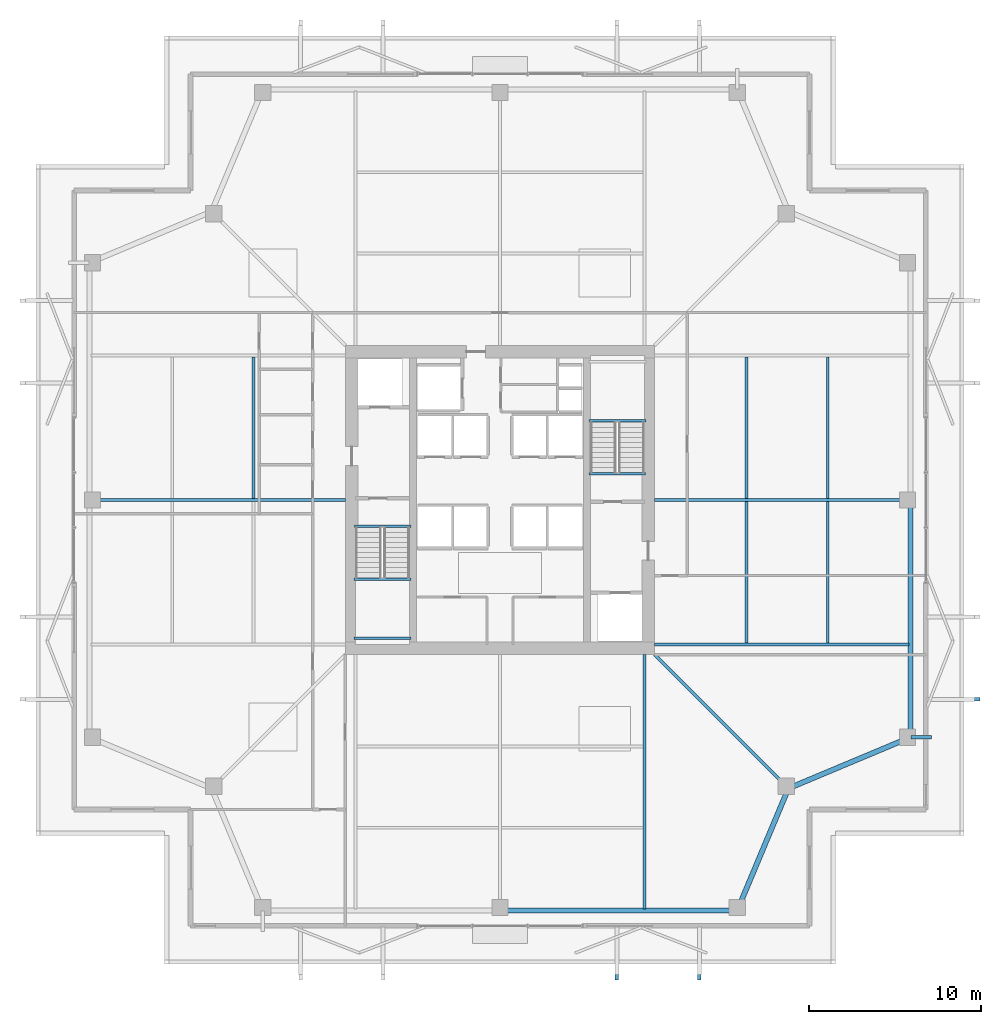
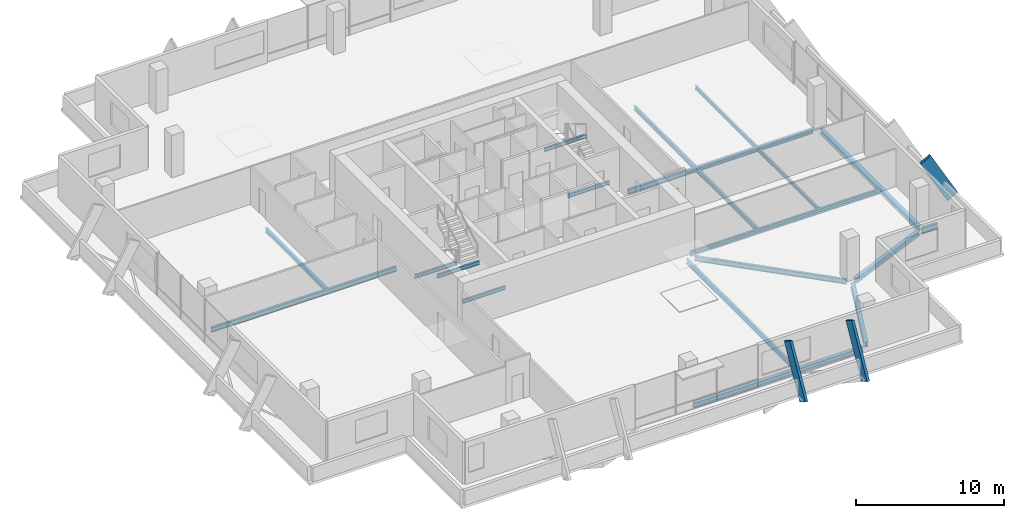
# One storey, part 7 of 17: 20 beams, 3 members.
"""IFC4 building model written with IfcOpenShell, lengths in metres."""

from ifc_helpers import new_model, si_unit, direction, frame, origin, origin_2d, place, context, subcontext, project, spatial, hollow_rectangle, i_section, extrude, material, material_profile, profile_set, type_object, element, save


model = new_model("IFC4")

# Units and contexts
model_context = context("Model", 3, precision=1e-05, world=origin(), true_north=direction((0.0, 1.0)))
body_context = subcontext(model_context, "Body", "Model", "MODEL_VIEW")
ifc_project = project(units=[si_unit("LENGTHUNIT", "METRE"), si_unit("AREAUNIT", "SQUARE_METRE"), si_unit("VOLUMEUNIT", "CUBIC_METRE"), si_unit("PLANEANGLEUNIT", "RADIAN"), si_unit("MASSUNIT", "GRAM", prefix="KILO")], contexts=[model_context])

# Site, building, storey
site_placement = place(None, origin())
site = spatial("IfcSite", under=ifc_project, at=site_placement, CompositionType="ELEMENT")
building_placement = place(site_placement, origin())
building = spatial("IfcBuilding", under=site, at=building_placement, Name="Belovzor Exchange Tower", CompositionType="ELEMENT")
storey_placement = place(building_placement, frame((0.0, 0.0, 246.60009765625)))
storey = spatial("IfcBuildingStorey", under=building, at=storey_placement, Name="L61", CompositionType="ELEMENT", Elevation=246.60009765625)

# Beams
ifc_material_1 = material(Name="Steel S355", Category="steel")
ifc_material_profile_1 = material_profile(ifc_material_1, i_section(OverallWidth=0.199951171875, OverallDepth=0.5, WebThickness=0.01025390625, FlangeThickness=0.01611328125, at=origin_2d()))
ifc_profile_set_1 = profile_set([ifc_material_profile_1], Name="Steel S355")
beam_type_1 = type_object("IfcBeamType", Name="Planted Balcony Cantilever Beam IPE 500", PredefinedType="BEAM", material=ifc_profile_set_1)
beam_1_placement = place(storey_placement, frame((52.694091796875, 15.0, -0.5), z_axis=(1.0, 0.0, 0.0), x_axis=(0.0, 1.0, 0.0)))
element("IfcBeam", 1, at=beam_1_placement, inside=storey, type_object=beam_type_1, Name="BC-500 Planted Balcony Cantilever Beam IPE 500", PredefinedType="BEAM", context=body_context, shape_type="SweptSolid", body=[
    extrude(i_section(OverallWidth=0.199951171875, OverallDepth=0.5, WebThickness=0.01025390625, FlangeThickness=0.01611328125, at=origin_2d()), origin(), (0.0, 0.0, 1.0), 1.205810546875),
])
ifc_material_2 = material(Name="Steel S355", Category="steel")
ifc_material_profile_2 = material_profile(ifc_material_2, i_section(OverallWidth=0.169921875, OverallDepth=0.360107421875, WebThickness=0.008056640625, FlangeThickness=0.0126953125, at=origin_2d()))
ifc_profile_set_2 = profile_set([ifc_material_profile_2], Name="Steel S355")
beam_type_2 = type_object("IfcBeamType", Name="Secondary Infill Floor Joist IPE 360", PredefinedType="BEAM", material=ifc_profile_set_2)
beam_2_placement = place(storey_placement, frame((14.471923828125, 28.889892578125, -0.43017578125), z_axis=(0.0, 1.0, 0.0), x_axis=(-1.0, 0.0, 0.0)))
element("IfcBeam", 2, at=beam_2_placement, inside=storey, type_object=beam_type_2, Name="FJ-360 Secondary Infill Floor Joist IPE 360", PredefinedType="BEAM", context=body_context, shape_type="SweptSolid", body=[
    extrude(i_section(OverallWidth=0.169921875, OverallDepth=0.360107421875, WebThickness=0.008056640625, FlangeThickness=0.0126953125, at=origin_2d()), origin(), (0.0, 0.0, 1.0), 8.22021484375),
])
beam_3_placement = place(storey_placement, frame((43.1279296875, 20.489990234375, -0.43017578125), z_axis=(0.0, 1.0, 0.0), x_axis=(-1.0, 0.0, 0.0)))
element("IfcBeam", 3, at=beam_3_placement, inside=storey, type_object=beam_type_2, Name="FJ-360 Secondary Infill Floor Joist IPE 360", PredefinedType="BEAM", context=body_context, shape_type="SweptSolid", body=[
    extrude(i_section(OverallWidth=0.169921875, OverallDepth=0.360107421875, WebThickness=0.008056640625, FlangeThickness=0.0126953125, at=origin_2d()), origin(), (0.0, 0.0, 1.0), 8.219970703125),
])
beam_4_placement = place(storey_placement, frame((43.1279296875, 28.889892578125, -0.43017578125), z_axis=(0.0, 1.0, 0.0), x_axis=(-1.0, 0.0, 0.0)))
element("IfcBeam", 4, at=beam_4_placement, inside=storey, type_object=beam_type_2, Name="FJ-360 Secondary Infill Floor Joist IPE 360", PredefinedType="BEAM", context=body_context, shape_type="SweptSolid", body=[
    extrude(i_section(OverallWidth=0.169921875, OverallDepth=0.360107421875, WebThickness=0.008056640625, FlangeThickness=0.0126953125, at=origin_2d()), origin(), (0.0, 0.0, 1.0), 8.22021484375),
])
ifc_material_3 = material(Name="Steel S355", Category="steel")
ifc_material_profile_3 = material_profile(ifc_material_3, i_section(OverallWidth=0.14990234375, OverallDepth=0.300048828125, WebThickness=0.007080078125, FlangeThickness=0.0107421875, at=origin_2d()))
ifc_profile_set_3 = profile_set([ifc_material_profile_3], Name="Steel S355")
beam_type_3 = type_object("IfcBeamType", Name="Secondary Trim Floor Joist IPE 300", PredefinedType="BEAM", material=ifc_profile_set_3)
for number, where, z_axis, x_axis, name in (
    (5, (20.320068359375, 24.179931640625, 1.52490234375), (1.0, 0.0, 0.0), (0.0, 1.0, 0.0), "FJ-300 Secondary Trim Floor Joist IPE 300"),
    (6, (20.320068359375, 20.75, 1.52490234375), (1.0, 0.0, 0.0), (0.0, 1.0, 0.0), "FJ-300 Secondary Trim Floor Joist IPE 300"),
):
    element("IfcBeam", number, at=place(storey_placement, frame(where, z_axis=z_axis, x_axis=x_axis)), inside=storey, type_object=beam_type_3, Name=name, PredefinedType="BEAM", context=body_context, shape_type="SweptSolid", body=[
        extrude(i_section(OverallWidth=0.14990234375, OverallDepth=0.300048828125, WebThickness=0.007080078125, FlangeThickness=0.0107421875, at=origin_2d()), origin(), (0.0, 0.0, 1.0), 3.309814453125),
    ])
beam_5_placement = place(storey_placement, frame((20.340087890625, 27.280029296875, -0.400146484375), z_axis=(1.0, 0.0, 0.0), x_axis=(0.0, 1.0, 0.0)))
element("IfcBeam", 7, at=beam_5_placement, inside=storey, type_object=beam_type_3, Name="FJ-300 Secondary Trim Floor Joist IPE 300", PredefinedType="BEAM", context=body_context, shape_type="SweptSolid", body=[
    extrude(i_section(OverallWidth=0.14990234375, OverallDepth=0.300048828125, WebThickness=0.007080078125, FlangeThickness=0.0107421875, at=origin_2d()), origin(), (0.0, 0.0, 1.0), 3.27001953125),
])
beam_6_placement = place(storey_placement, frame((37.280029296875, 33.419921875, 1.52490234375), z_axis=(-1.0, 0.0, 0.0), x_axis=(0.0, -1.0, 0.0)))
element("IfcBeam", 8, at=beam_6_placement, inside=storey, type_object=beam_type_3, Name="FJ-300 Secondary Trim Floor Joist IPE 300", PredefinedType="BEAM", context=body_context, shape_type="SweptSolid", body=[
    extrude(i_section(OverallWidth=0.14990234375, OverallDepth=0.300048828125, WebThickness=0.007080078125, FlangeThickness=0.0107421875, at=origin_2d()), origin(), (0.0, 0.0, 1.0), 3.31005859375),
])
beam_7_placement = place(storey_placement, frame((37.260009765625, 30.320068359375, -0.400146484375), z_axis=(-1.0, 0.0, 0.0), x_axis=(0.0, -1.0, 0.0)))
element("IfcBeam", 9, at=beam_7_placement, inside=storey, type_object=beam_type_3, Name="FJ-300 Secondary Trim Floor Joist IPE 300", PredefinedType="BEAM", context=body_context, shape_type="SweptSolid", body=[
    extrude(i_section(OverallWidth=0.14990234375, OverallDepth=0.300048828125, WebThickness=0.007080078125, FlangeThickness=0.0107421875, at=origin_2d()), origin(), (0.0, 0.0, 1.0), 3.27001953125),
])
beam_8_placement = place(storey_placement, frame((47.864013671875, 20.489990234375, -0.400146484375), z_axis=(0.0, 1.0, 0.0), x_axis=(-1.0, 0.0, 0.0)))
element("IfcBeam", 10, at=beam_8_placement, inside=storey, type_object=beam_type_3, Name="FJ-300 Secondary Trim Floor Joist IPE 300", PredefinedType="BEAM", context=body_context, shape_type="SweptSolid", body=[
    extrude(i_section(OverallWidth=0.14990234375, OverallDepth=0.300048828125, WebThickness=0.007080078125, FlangeThickness=0.0107421875, at=origin_2d()), origin(), (0.0, 0.0, 1.0), 8.219970703125),
])
beam_9_placement = place(storey_placement, frame((47.864013671875, 28.889892578125, -0.400146484375), z_axis=(0.0, 1.0, 0.0), x_axis=(-1.0, 0.0, 0.0)))
element("IfcBeam", 11, at=beam_9_placement, inside=storey, type_object=beam_type_3, Name="FJ-300 Secondary Trim Floor Joist IPE 300", PredefinedType="BEAM", context=body_context, shape_type="SweptSolid", body=[
    extrude(i_section(OverallWidth=0.14990234375, OverallDepth=0.300048828125, WebThickness=0.007080078125, FlangeThickness=0.0107421875, at=origin_2d()), origin(), (0.0, 0.0, 1.0), 8.22021484375),
])

# Members
ifc_material_4 = material(Name="Extruded Architectural Terracotta on Steel S355 Carrier", Category="masonry")
ifc_material_profile_4 = material_profile(ifc_material_4, hollow_rectangle(XDim=0.199951171875, YDim=0.89990234375, WallThickness=0.011962890625, at=origin_2d()))
ifc_profile_set_4 = profile_set([ifc_material_profile_4], Name="Extruded Architectural Terracotta on Steel S355 Carrier")
member_type = type_object("IfcMemberType", Name="Sweeping Terracotta Baguette Fin Assembly 950", PredefinedType="USERDEFINED", material=ifc_profile_set_4)
member_placement = place(storey_placement, frame((56.324951171875, 17.199951171875, -0.25), z_axis=(-0.488577422588, 0.0, 0.872520545396), x_axis=(0.0, -1.0, 0.0)))
element("IfcMember", 12, at=member_placement, inside=storey, type_object=member_type, Name="FIN-TC095 Terracotta Facade Fin L61 E1", ObjectType="FIN", PredefinedType="USERDEFINED", context=body_context, shape_type="SweptSolid", body=[
    extrude(hollow_rectangle(XDim=0.199951171875, YDim=0.89990234375, WallThickness=0.011962890625, at=origin_2d()), origin(), (0.0, 0.0, 1.0), 4.2978515625),
])
for number, where, z_axis, x_axis, name in (
    (13, (35.60009765625, 1.27490234375, -0.25), (0.0, 0.488620665774, 0.872496329493), (-1.0, 0.0, 0.0), "FIN-TC095 Terracotta Facade Fin L61 S3"),
    (14, (40.39990234375, 1.27490234375, -0.25), (0.0, 0.488620665774, 0.872496329493), (-1.0, 0.0, 0.0), "FIN-TC095 Terracotta Facade Fin L61 S4"),
):
    element("IfcMember", number, at=place(storey_placement, frame(where, z_axis=z_axis, x_axis=x_axis)), inside=storey, type_object=member_type, Name=name, ObjectType="FIN", PredefinedType="USERDEFINED", context=body_context, shape_type="SweptSolid", body=[
        extrude(hollow_rectangle(XDim=0.199951171875, YDim=0.89990234375, WallThickness=0.011962890625, at=origin_2d()), origin(), (0.0, 0.0, 1.0), 4.298095703125),
    ])

# Beams
ifc_material_5 = material(Name="Steel S355", Category="steel")
ifc_material_profile_5 = material_profile(ifc_material_5, i_section(OverallWidth=0.300048828125, OverallDepth=0.39990234375, WebThickness=0.013427734375, FlangeThickness=0.02392578125, at=origin_2d()))
ifc_profile_set_5 = profile_set([ifc_material_profile_5], Name="Steel S355")
beam_type_4 = type_object("IfcBeamType", Name="Zone 5 Primary Girder HEB 400", PredefinedType="BEAM", material=ifc_profile_set_5)
beam_10_placement = place(storey_placement, frame((29.10205078125, 4.925048828125, -0.4501953125), z_axis=(1.0, 0.0, 0.0), x_axis=(0.0, 1.0, 0.0)))
element("IfcBeam", 15, at=beam_10_placement, inside=storey, type_object=beam_type_4, Name="FG-Z5 Zone 5 Primary Girder HEB 400", PredefinedType="BEAM", context=body_context, shape_type="SweptSolid", body=[
    extrude(i_section(OverallWidth=0.300048828125, OverallDepth=0.39990234375, WebThickness=0.013427734375, FlangeThickness=0.02392578125, at=origin_2d()), origin(), (0.0, 0.0, 1.0), 13.195068359375),
])
for number, where, z_axis, x_axis, name in (
    (16, (42.717041015625, 5.2041015625, -0.4501953125), (0.386432990342, 0.922317485455, 0.0), (-0.922317485455, 0.386432990342, 0.0), "FG-Z5 Zone 5 Primary Girder HEB 400"),
    (17, (45.85400390625, 12.14208984375, -0.4501953125), (0.922317485455, 0.386432990342, 0.0), (-0.386432990342, 0.922317485455, 0.0), "FG-Z5 Zone 5 Primary Girder HEB 400"),
):
    element("IfcBeam", number, at=place(storey_placement, frame(where, z_axis=z_axis, x_axis=x_axis)), inside=storey, type_object=beam_type_4, Name=name, PredefinedType="BEAM", context=body_context, shape_type="SweptSolid", body=[
        extrude(i_section(OverallWidth=0.300048828125, OverallDepth=0.39990234375, WebThickness=0.013427734375, FlangeThickness=0.02392578125, at=origin_2d()), origin(), (0.0, 0.0, 1.0), 7.093017578125),
    ])
beam_11_placement = place(storey_placement, frame((52.675048828125, 15.302978515625, -0.4501953125), z_axis=(0.0, 1.0, 0.0), x_axis=(-1.0, 0.0, 0.0)))
element("IfcBeam", 18, at=beam_11_placement, inside=storey, type_object=beam_type_4, Name="FG-Z5 Zone 5 Primary Girder HEB 400", PredefinedType="BEAM", context=body_context, shape_type="SweptSolid", body=[
    extrude(i_section(OverallWidth=0.300048828125, OverallDepth=0.39990234375, WebThickness=0.013427734375, FlangeThickness=0.02392578125, at=origin_2d()), origin(), (0.0, 0.0, 1.0), 13.195068359375),
])
ifc_material_6 = material(Name="Steel S355", Category="steel")
ifc_material_profile_6 = material_profile(ifc_material_6, i_section(OverallWidth=0.179931640625, OverallDepth=0.39990234375, WebThickness=0.008544921875, FlangeThickness=0.013427734375, at=origin_2d()))
ifc_profile_set_6 = profile_set([ifc_material_profile_6], Name="Steel S355")
beam_type_5 = type_object("IfcBeamType", Name="Zone 5-6 Radial Composite Floor Beam IPE 400", PredefinedType="BEAM", material=ifc_profile_set_6)
beam_12_placement = place(storey_placement, frame((37.199951171875, 19.800048828125, -0.4501953125), z_axis=(0.0, -1.0, 0.0), x_axis=(1.0, 0.0, 0.0)))
element("IfcBeam", 19, at=beam_12_placement, inside=storey, type_object=beam_type_5, Name="FB-400 Zone 5-6 Radial Composite Floor Beam IPE 400", PredefinedType="BEAM", context=body_context, shape_type="SweptSolid", body=[
    extrude(i_section(OverallWidth=0.179931640625, OverallDepth=0.39990234375, WebThickness=0.008544921875, FlangeThickness=0.013427734375, at=origin_2d()), origin(), (0.0, 0.0, 1.0), 14.800048828125),
])
beam_13_placement = place(storey_placement, frame((19.800048828125, 28.800048828125, -0.4501953125), z_axis=(-1.0, 0.0, 0.0), x_axis=(0.0, -1.0, 0.0)))
element("IfcBeam", 20, at=beam_13_placement, inside=storey, type_object=beam_type_5, Name="FB-400 Zone 5-6 Radial Composite Floor Beam IPE 400", PredefinedType="BEAM", context=body_context, shape_type="SweptSolid", body=[
    extrude(i_section(OverallWidth=0.179931640625, OverallDepth=0.39990234375, WebThickness=0.008544921875, FlangeThickness=0.013427734375, at=origin_2d()), origin(), (0.0, 0.0, 1.0), 14.39111328125),
])
beam_14_placement = place(storey_placement, frame((37.800048828125, 20.39990234375, -0.4501953125), z_axis=(1.0, 0.0, 0.0), x_axis=(0.0, 1.0, 0.0)))
element("IfcBeam", 21, at=beam_14_placement, inside=storey, type_object=beam_type_5, Name="FB-400 Zone 5-6 Radial Composite Floor Beam IPE 400", PredefinedType="BEAM", context=body_context, shape_type="SweptSolid", body=[
    extrude(i_section(OverallWidth=0.179931640625, OverallDepth=0.39990234375, WebThickness=0.008544921875, FlangeThickness=0.013427734375, at=origin_2d()), origin(), (0.0, 0.0, 1.0), 14.800048828125),
])
beam_15_placement = place(storey_placement, frame((37.800048828125, 28.800048828125, -0.4501953125), z_axis=(1.0, 0.0, 0.0), x_axis=(0.0, 1.0, 0.0)))
element("IfcBeam", 22, at=beam_15_placement, inside=storey, type_object=beam_type_5, Name="FB-400 Zone 5-6 Radial Composite Floor Beam IPE 400", PredefinedType="BEAM", context=body_context, shape_type="SweptSolid", body=[
    extrude(i_section(OverallWidth=0.179931640625, OverallDepth=0.39990234375, WebThickness=0.008544921875, FlangeThickness=0.013427734375, at=origin_2d()), origin(), (0.0, 0.0, 1.0), 14.390869140625),
])
beam_16_placement = place(storey_placement, frame((37.800048828125, 19.800048828125, -0.4501953125), z_axis=(0.707106781187, -0.707106781187, 0.0), x_axis=(0.707106781187, 0.707106781187, 0.0)))
element("IfcBeam", 23, at=beam_16_placement, inside=storey, type_object=beam_type_5, Name="FB-400 Zone 5-6 Radial Composite Floor Beam IPE 400", PredefinedType="BEAM", context=body_context, shape_type="SweptSolid", body=[
    extrude(i_section(OverallWidth=0.179931640625, OverallDepth=0.39990234375, WebThickness=0.008544921875, FlangeThickness=0.013427734375, at=origin_2d()), origin(), (0.0, 0.0, 1.0), 10.606689453125),
])

save(model, "model.ifc")
